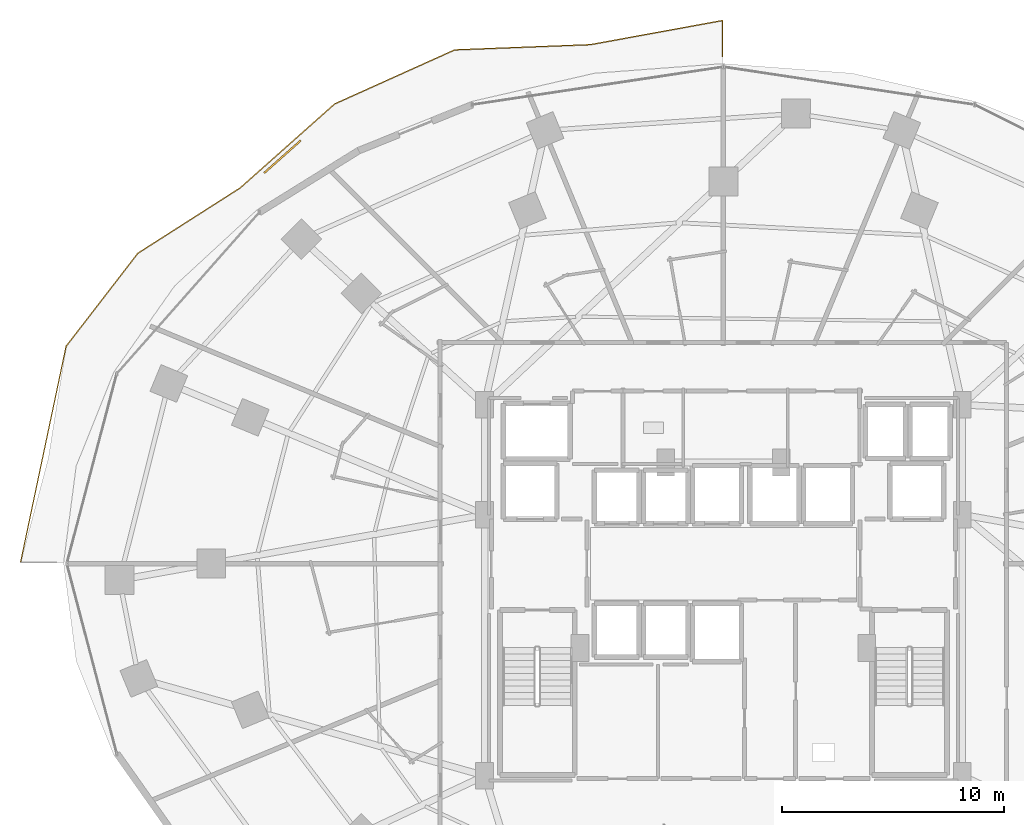
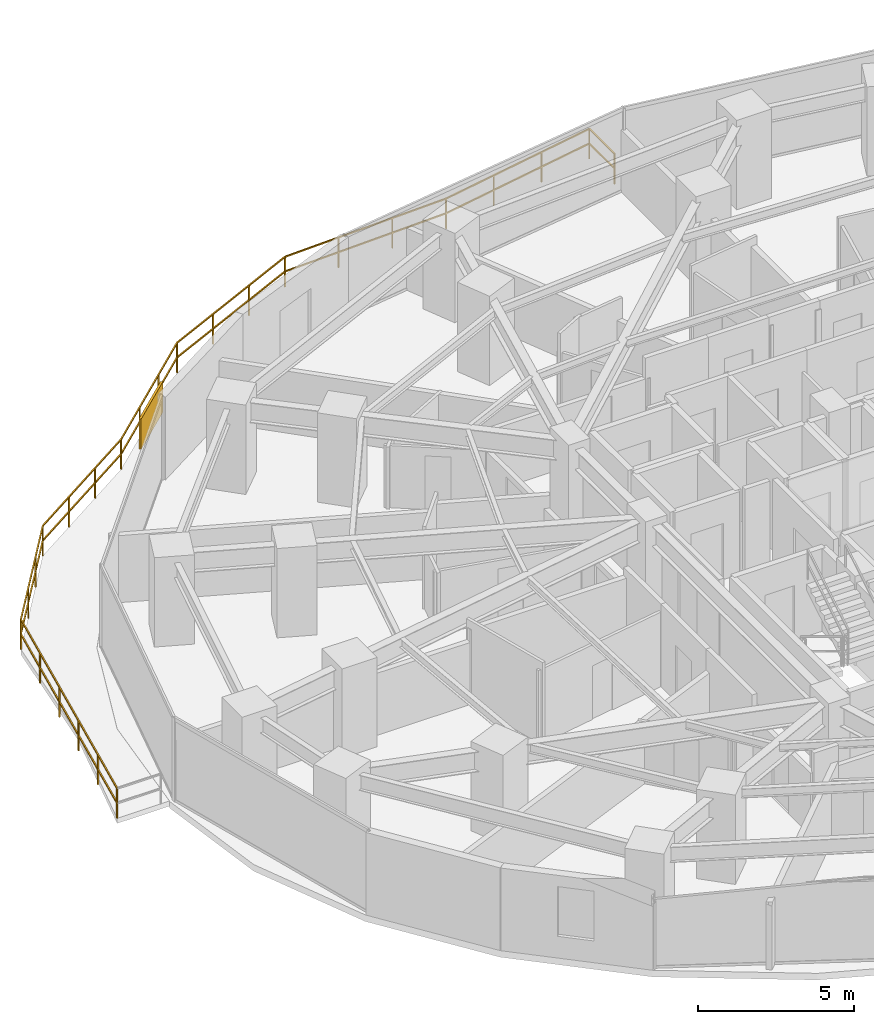
# One storey, part 33 of 34: 1 railing, 1 shading device.
"""IFC4 building model written with IfcOpenShell, lengths in metres."""

from ifc_helpers import new_model, si_unit, direction, frame, origin, origin_2d, place, context, subcontext, project, spatial, rectangle, extrude, material, type_object, element, save


model = new_model("IFC4")

# Units and contexts
model_context = context("Model", 3, precision=1e-05, world=origin(), true_north=direction((0.0, 1.0)))
body_context = subcontext(model_context, "Body", "Model", "MODEL_VIEW")
ifc_project = project(units=[si_unit("LENGTHUNIT", "METRE"), si_unit("AREAUNIT", "SQUARE_METRE"), si_unit("VOLUMEUNIT", "CUBIC_METRE"), si_unit("PLANEANGLEUNIT", "RADIAN"), si_unit("MASSUNIT", "GRAM", prefix="KILO")], contexts=[model_context])

# Site, building, storey
site_placement = place(None, origin())
site = spatial("IfcSite", under=ifc_project, at=site_placement, CompositionType="ELEMENT")
building_placement = place(site_placement, origin())
building = spatial("IfcBuilding", under=site, at=building_placement, Name="Vorneva Point Tower", CompositionType="ELEMENT")
storey_placement = place(building_placement, frame((0.0, 0.0, 27.5)))
storey = spatial("IfcBuildingStorey", under=building, at=storey_placement, Name="L06", CompositionType="ELEMENT", Elevation=27.5)

# Railing
ifc_material = material(Name="Pale anodised aluminium", Category="aluminium")
railing_type = type_object("IfcRailingType", Name="RL-BAL-1200", PredefinedType="BALUSTRADE", material=ifc_material)
railing_placement = place(storey_placement, frame((37.949951171875, 48.817138671875, 0.0)))
element("IfcRailing", 1, at=railing_placement, inside=storey, type_object=railing_type, Name="L06 Wave Balcony Balustrade NW.2", PredefinedType="BALUSTRADE", context=body_context, shape_type="SweptSolid", body=[
    extrude(rectangle(XDim=0.048095703125, YDim=0.048095703125, at=origin_2d()), frame((0.0, 0.0, 1.17578125), z_axis=(0.0, 1.0, 0.0), x_axis=(-1.0, 0.0, 0.0)), (0.0, 0.0, 1.0), 1.623779296875),
    extrude(rectangle(XDim=0.048095703125, YDim=0.048095703125, at=origin_2d()), frame((0.0, 0.0, 0.60009765625), z_axis=(0.0, 1.0, 0.0), x_axis=(-1.0, 0.0, 0.0)), (0.0, 0.0, 1.0), 1.623779296875),
    extrude(rectangle(XDim=0.048095703125, YDim=0.048095703125, at=origin_2d()), frame((0.0, 1.623779296875, 1.17578125), z_axis=(-0.983729833809, -0.179654151288, 0.0), x_axis=(0.179654151288, -0.983729833809, 0.0)), (0.0, 0.0, 1.0), 6.036376953125),
    extrude(rectangle(XDim=0.048095703125, YDim=0.048095703125, at=origin_2d()), frame((0.0, 1.623779296875, 0.60009765625), z_axis=(-0.983729833809, -0.179654151288, 0.0), x_axis=(0.179654151288, -0.983729833809, 0.0)), (0.0, 0.0, 1.0), 6.036376953125),
    extrude(rectangle(XDim=0.048095703125, YDim=0.048095703125, at=origin_2d()), frame((-5.938232421875, 0.539306640625, 1.17578125), z_axis=(-0.999252656618, -0.038653955067, 0.0), x_axis=(0.038653955067, -0.999252656618, 0.0)), (0.0, 0.0, 1.0), 6.114013671875),
    extrude(rectangle(XDim=0.048095703125, YDim=0.048095703125, at=origin_2d()), frame((-5.938232421875, 0.539306640625, 0.60009765625), z_axis=(-0.999252656618, -0.038653955067, 0.0), x_axis=(0.038653955067, -0.999252656618, 0.0)), (0.0, 0.0, 1.0), 6.114013671875),
    extrude(rectangle(XDim=0.048095703125, YDim=0.048095703125, at=origin_2d()), frame((-12.047607421875, 0.302978515625, 1.17578125), z_axis=(-0.911854439194, -0.41051368031, 0.0), x_axis=(0.41051368031, -0.911854439194, 0.0)), (0.0, 0.0, 1.0), 5.927001953125),
    extrude(rectangle(XDim=0.048095703125, YDim=0.048095703125, at=origin_2d()), frame((-12.047607421875, 0.302978515625, 0.60009765625), z_axis=(-0.911854439194, -0.41051368031, 0.0), x_axis=(0.41051368031, -0.911854439194, 0.0)), (0.0, 0.0, 1.0), 5.927001953125),
    extrude(rectangle(XDim=0.048095703125, YDim=0.048095703125, at=origin_2d()), frame((-17.4521484375, -2.130126953125, 1.17578125), z_axis=(-0.747432986741, -0.664337211311, 0.0), x_axis=(0.664337211311, -0.747432986741, 0.0)), (0.0, 0.0, 1.0), 5.69091796875),
    extrude(rectangle(XDim=0.048095703125, YDim=0.048095703125, at=origin_2d()), frame((-17.4521484375, -2.130126953125, 0.60009765625), z_axis=(-0.747432986741, -0.664337211311, 0.0), x_axis=(0.664337211311, -0.747432986741, 0.0)), (0.0, 0.0, 1.0), 5.69091796875),
    extrude(rectangle(XDim=0.048095703125, YDim=0.048095703125, at=origin_2d()), frame((-21.705810546875, -5.910888671875, 1.17578125), z_axis=(-0.842798797651, -0.538228749397, 0.0), x_axis=(0.538228749397, -0.842798797651, 0.0)), (0.0, 0.0, 1.0), 5.46044921875),
    extrude(rectangle(XDim=0.048095703125, YDim=0.048095703125, at=origin_2d()), frame((-21.705810546875, -5.910888671875, 0.60009765625), z_axis=(-0.842798797651, -0.538228749397, 0.0), x_axis=(0.538228749397, -0.842798797651, 0.0)), (0.0, 0.0, 1.0), 5.46044921875),
    extrude(rectangle(XDim=0.048095703125, YDim=0.048095703125, at=origin_2d()), frame((-26.307861328125, -8.849853515625, 1.17578125), z_axis=(-0.610666055033, -0.791888230264, 0.0), x_axis=(0.791888230264, -0.610666055033, 0.0)), (0.0, 0.0, 1.0), 5.28369140625),
    extrude(rectangle(XDim=0.048095703125, YDim=0.048095703125, at=origin_2d()), frame((-26.307861328125, -8.849853515625, 0.60009765625), z_axis=(-0.610666055033, -0.791888230264, 0.0), x_axis=(0.791888230264, -0.610666055033, 0.0)), (0.0, 0.0, 1.0), 5.28369140625),
    extrude(rectangle(XDim=0.048095703125, YDim=0.048095703125, at=origin_2d()), frame((-29.534423828125, -13.033935546875, 1.17578125), z_axis=(-0.206314761506, -0.978485676535, 0.0), x_axis=(0.978485676535, -0.206314761506, 0.0)), (0.0, 0.0, 1.0), 9.947265625),
    extrude(rectangle(XDim=0.048095703125, YDim=0.048095703125, at=origin_2d()), frame((-29.534423828125, -13.033935546875, 0.60009765625), z_axis=(-0.206314761506, -0.978485676535, 0.0), x_axis=(0.978485676535, -0.206314761506, 0.0)), (0.0, 0.0, 1.0), 9.947265625),
    extrude(rectangle(XDim=0.0419921875, YDim=0.0419921875, at=origin_2d()), origin(), (0.0, 0.0, 1.0), 1.15185546875),
    extrude(rectangle(XDim=0.0419921875, YDim=0.0419921875, at=origin_2d()), frame((0.0, 1.623779296875, 0.0)), (0.0, 0.0, 1.0), 1.15185546875),
    extrude(rectangle(XDim=0.0419921875, YDim=0.0419921875, at=origin_2d()), frame((-1.9794921875, 1.26220703125, 0.0)), (0.0, 0.0, 1.0), 1.15185546875),
    extrude(rectangle(XDim=0.0419921875, YDim=0.0419921875, at=origin_2d()), frame((-3.958740234375, 0.90087890625, 0.0)), (0.0, 0.0, 1.0), 1.15185546875),
    extrude(rectangle(XDim=0.0419921875, YDim=0.0419921875, at=origin_2d()), frame((-5.938232421875, 0.539306640625, 0.0)), (0.0, 0.0, 1.0), 1.15185546875),
    extrude(rectangle(XDim=0.0419921875, YDim=0.0419921875, at=origin_2d()), frame((-7.974609375, 0.46044921875, 0.0)), (0.0, 0.0, 1.0), 1.15185546875),
    extrude(rectangle(XDim=0.0419921875, YDim=0.0419921875, at=origin_2d()), frame((-10.01123046875, 0.3818359375, 0.0)), (0.0, 0.0, 1.0), 1.15185546875),
    extrude(rectangle(XDim=0.0419921875, YDim=0.0419921875, at=origin_2d()), frame((-12.047607421875, 0.302978515625, 0.0)), (0.0, 0.0, 1.0), 1.15185546875),
    extrude(rectangle(XDim=0.0419921875, YDim=0.0419921875, at=origin_2d()), frame((-13.84912109375, -0.508056640625, 0.0)), (0.0, 0.0, 1.0), 1.15185546875),
    extrude(rectangle(XDim=0.0419921875, YDim=0.0419921875, at=origin_2d()), frame((-15.650634765625, -1.319091796875, 0.0)), (0.0, 0.0, 1.0), 1.15185546875),
    extrude(rectangle(XDim=0.0419921875, YDim=0.0419921875, at=origin_2d()), frame((-17.4521484375, -2.130126953125, 0.0)), (0.0, 0.0, 1.0), 1.15185546875),
    extrude(rectangle(XDim=0.0419921875, YDim=0.0419921875, at=origin_2d()), frame((-18.8701171875, -3.390380859375, 0.0)), (0.0, 0.0, 1.0), 1.15185546875),
    extrude(rectangle(XDim=0.0419921875, YDim=0.0419921875, at=origin_2d()), frame((-20.287841796875, -4.650634765625, 0.0)), (0.0, 0.0, 1.0), 1.15185546875),
    extrude(rectangle(XDim=0.0419921875, YDim=0.0419921875, at=origin_2d()), frame((-21.705810546875, -5.910888671875, 0.0)), (0.0, 0.0, 1.0), 1.15185546875),
    extrude(rectangle(XDim=0.0419921875, YDim=0.0419921875, at=origin_2d()), frame((-23.23974609375, -6.890625, 0.0)), (0.0, 0.0, 1.0), 1.15185546875),
    extrude(rectangle(XDim=0.0419921875, YDim=0.0419921875, at=origin_2d()), frame((-24.77392578125, -7.8701171875, 0.0)), (0.0, 0.0, 1.0), 1.15185546875),
    extrude(rectangle(XDim=0.0419921875, YDim=0.0419921875, at=origin_2d()), frame((-26.307861328125, -8.849853515625, 0.0)), (0.0, 0.0, 1.0), 1.15185546875),
    extrude(rectangle(XDim=0.0419921875, YDim=0.0419921875, at=origin_2d()), frame((-27.38330078125, -10.24462890625, 0.0)), (0.0, 0.0, 1.0), 1.15185546875),
    extrude(rectangle(XDim=0.0419921875, YDim=0.0419921875, at=origin_2d()), frame((-28.458984375, -11.63916015625, 0.0)), (0.0, 0.0, 1.0), 1.15185546875),
    extrude(rectangle(XDim=0.0419921875, YDim=0.0419921875, at=origin_2d()), frame((-29.534423828125, -13.033935546875, 0.0)), (0.0, 0.0, 1.0), 1.15185546875),
    extrude(rectangle(XDim=0.0419921875, YDim=0.0419921875, at=origin_2d()), frame((-29.94482421875, -14.98046875, 0.0)), (0.0, 0.0, 1.0), 1.15185546875),
    extrude(rectangle(XDim=0.0419921875, YDim=0.0419921875, at=origin_2d()), frame((-30.355224609375, -16.92724609375, 0.0)), (0.0, 0.0, 1.0), 1.15185546875),
    extrude(rectangle(XDim=0.0419921875, YDim=0.0419921875, at=origin_2d()), frame((-30.765869140625, -18.873779296875, 0.0)), (0.0, 0.0, 1.0), 1.15185546875),
    extrude(rectangle(XDim=0.0419921875, YDim=0.0419921875, at=origin_2d()), frame((-31.17626953125, -20.820556640625, 0.0)), (0.0, 0.0, 1.0), 1.15185546875),
    extrude(rectangle(XDim=0.0419921875, YDim=0.0419921875, at=origin_2d()), frame((-31.586669921875, -22.76708984375, 0.0)), (0.0, 0.0, 1.0), 1.15185546875),
])

# Shading device
shading_device_type = type_object("IfcShadingDeviceType", Name="SHD-JAL-1200", PredefinedType="JALOUSIE", material=ifc_material)
shading_device_placement = place(storey_placement, frame((18.15771484375, 44.314208984375, -0.02001953125), z_axis=(0.0, 0.0, 1.0), x_axis=(-0.747461951473, -0.664304622218, 0.0)))
element("IfcShadingDevice", 2, at=shading_device_placement, inside=storey, type_object=shading_device_type, Name="L06 Balcony Vertical-Greenery Planter Screen NW.2", PredefinedType="JALOUSIE", context=body_context, shape_type="SweptSolid", body=[
    extrude(rectangle(XDim=2.199951171875, YDim=0.080078125, at=origin_2d()), origin(), (0.0, 0.0, 1.0), 1.199951171875),
])

save(model, "model.ifc")
